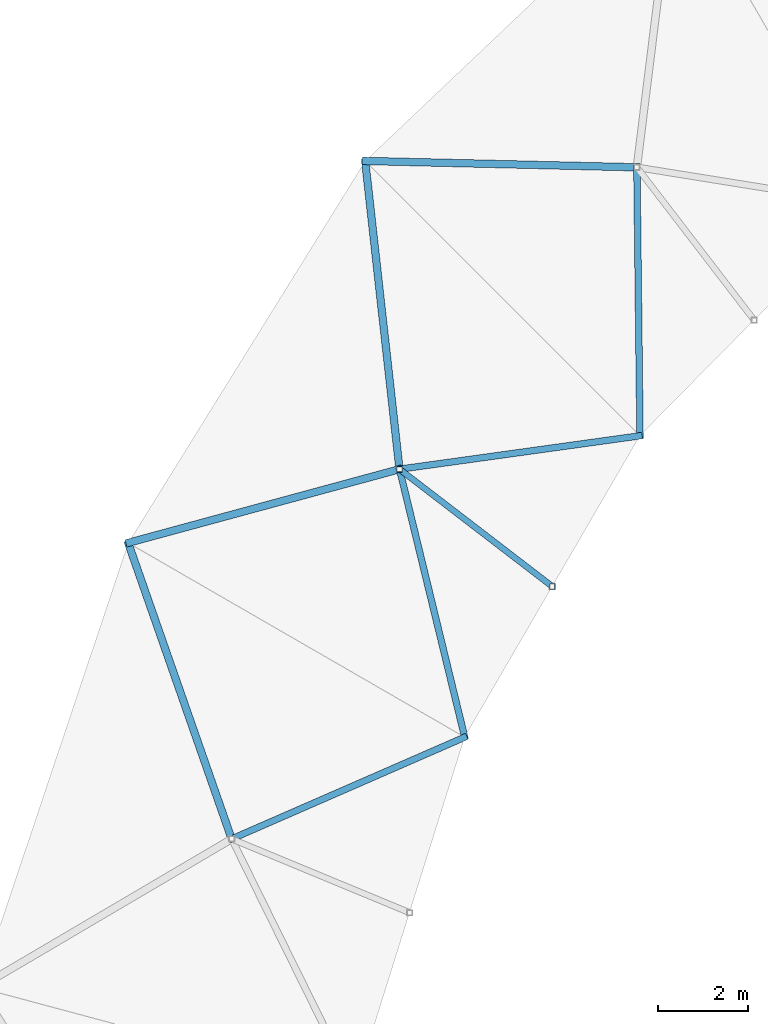
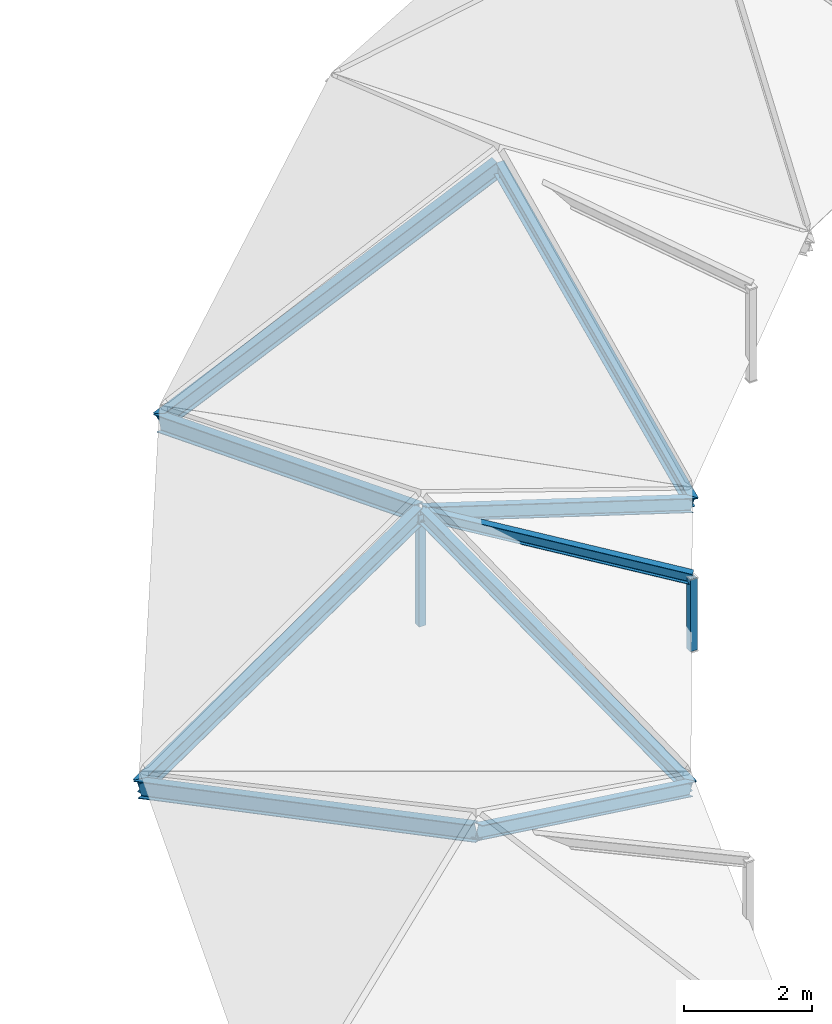
# One storey, part 29 of 66: 11 members.
"""IFC4 building model written with IfcOpenShell, lengths in metres."""

import ifcopenshell
import ifcopenshell.guid

model = None  # the IFC model being written
_history = None  # IfcOwnerHistory: only IFC2X3 demands one
_inside = {}  # id of a spatial element -> (the spatial element, [elements in it])
_under = {}  # id of a project, library or spatial element -> (it, [spatial elements below it])
_declared = {}  # id of a project -> (the project, [libraries it declares])
_typed = {}  # id of a type object -> (the type object, [elements of that type])
_made_of = {}  # id of a material, layer set ... -> (it, [elements and type objects made of it])


def new_model(schema):
    """Start an empty IFC model of exactly this schema.

    Asked for "IFC4X3", IfcOpenShell would pick the latest addendum, in which some entities
    have other attributes; the version numbers below select the first issue.
    IFC2X3 requires an IfcOwnerHistory on every rooted entity: one is made here for all.
    """
    global model, _history
    if schema == "IFC4X3":
        model = ifcopenshell.file(schema_version=(4, 3, 0, 0))
    else:
        model = ifcopenshell.file(schema=schema)
    _inside.clear()
    _under.clear()
    _declared.clear()
    _typed.clear()
    _made_of.clear()
    _history = None
    if model.schema == "IFC2X3":
        org = make("IfcOrganization", Name="unknown")
        user = make(
            "IfcPersonAndOrganization",
            ThePerson=make("IfcPerson", FamilyName="unknown"),
            TheOrganization=org,
        )
        app = make(
            "IfcApplication",
            ApplicationDeveloper=org,
            Version="unknown",
            ApplicationFullName="unknown",
            ApplicationIdentifier="unknown",
        )
        _history = make(
            "IfcOwnerHistory",
            OwningUser=user,
            OwningApplication=app,
            ChangeAction="ADDED",
            CreationDate=0,
        )
    return model


def make(cls, **values):
    """One entity of the class cls with the attributes given. An attribute that is None is left unset."""
    return model.create_entity(
        cls, **{name: value for name, value in values.items() if value is not None}
    )


def rooted(cls, **values):
    """An entity with a GlobalId (a new one), such as an element, a storey or a relation."""
    return make(cls, GlobalId=ifcopenshell.guid.new(), OwnerHistory=_history, **values)


def si_unit(unit_type, name, prefix=None):
    """IfcSIUnit, for example si_unit("LENGTHUNIT", "METRE", prefix="MILLI")."""
    return make("IfcSIUnit", UnitType=unit_type, Prefix=prefix, Name=name)


def assignment(units):
    """IfcUnitAssignment: the units of a project."""
    return None if units is None else make("IfcUnitAssignment", Units=units)


def point(xyz):
    """IfcCartesianPoint."""
    return None if xyz is None else make("IfcCartesianPoint", Coordinates=xyz)


def direction(xyz):
    """IfcDirection."""
    return None if xyz is None else make("IfcDirection", DirectionRatios=xyz)


def frame(location, z_axis=None, x_axis=None):
    """IfcAxis2Placement3D, a coordinate frame: its origin and axes. An axis left out is left unset."""
    return make(
        "IfcAxis2Placement3D",
        Location=point(location),
        Axis=direction(z_axis),
        RefDirection=direction(x_axis),
    )


def frame_2d(location, x_axis=None):
    """IfcAxis2Placement2D, a coordinate frame in the plane: its origin and x axis."""
    return make(
        "IfcAxis2Placement2D", Location=point(location), RefDirection=direction(x_axis)
    )


def origin():
    """The frame at (0, 0, 0) with its axes left unset."""
    return frame((0.0, 0.0, 0.0))


def origin_2d():
    """The frame at (0, 0) in the plane with its x axis left unset."""
    return frame_2d((0.0, 0.0))


def place(relative_to, where):
    """IfcLocalPlacement: puts the frame where relative to a parent placement (None: the world)."""
    return make(
        "IfcLocalPlacement", PlacementRelTo=relative_to, RelativePlacement=where
    )


def context(
    kind, dimensions, precision=None, world=None, true_north=None, identifier=None
):
    """IfcGeometricRepresentationContext, for example the 3D "Model" context."""
    return make(
        "IfcGeometricRepresentationContext",
        ContextIdentifier=identifier,
        ContextType=kind,
        CoordinateSpaceDimension=dimensions,
        Precision=precision,
        WorldCoordinateSystem=world,
        TrueNorth=true_north,
    )


def subcontext(parent, identifier, kind, view, scale=None):
    """IfcGeometricRepresentationSubContext, for example "Body" below "Model"."""
    return make(
        "IfcGeometricRepresentationSubContext",
        ContextIdentifier=identifier,
        ContextType=kind,
        ParentContext=parent,
        TargetScale=scale,
        TargetView=view,
    )


def project(units=None, contexts=None):
    """IfcProject with its units and contexts."""
    return rooted(
        "IfcProject",
        Name="project",
        RepresentationContexts=contexts,
        UnitsInContext=assignment(units),
    )


def spatial(cls, under=None, at=None, **own):
    """A site, building, storey or space (cls), placed at a placement, below another one or the project."""
    s = rooted(cls, ObjectPlacement=at, **own)
    if under is not None:
        _under.setdefault(under.id(), (under, []))[1].append(s)
    return s


def profile(cls, at=None, kind="AREA", **sizes):
    """A parametric profile (cls). Its sizes go by their IFC names, for example OverallWidth=200.0."""
    return make(cls, ProfileType=kind, Position=at, **sizes)


def hollow_rectangle(**sizes):
    """IfcRectangleHollowProfileDef."""
    return profile("IfcRectangleHollowProfileDef", **sizes)


def i_section(**sizes):
    """IfcIShapeProfileDef."""
    return profile("IfcIShapeProfileDef", **sizes)


def extrude(swept, where, along, depth):
    """IfcExtrudedAreaSolid: the profile swept, set in the frame where, extruded along a direction by depth."""
    return make(
        "IfcExtrudedAreaSolid",
        SweptArea=swept,
        Position=where,
        ExtrudedDirection=direction(along),
        Depth=depth,
    )


def shape(context_of_items, identifier, shape_type, items):
    """IfcShapeRepresentation: the items that make up one representation, for example the "Body"."""
    return make(
        "IfcShapeRepresentation",
        ContextOfItems=context_of_items,
        RepresentationIdentifier=identifier,
        RepresentationType=shape_type,
        Items=items,
    )


def material(Name=None, Category=None):
    """IfcMaterial."""
    return make("IfcMaterial", Name=Name, Category=Category)


def material_profile(
    of_material, cross_section, Name=None, Category=None, Priority=None
):
    """IfcMaterialProfile: a cross section and its material."""
    return make(
        "IfcMaterialProfile",
        Name=Name,
        Material=of_material,
        Profile=cross_section,
        Priority=Priority,
        Category=Category,
    )


def profile_set(profiles, Name=None, composite=None):
    """IfcMaterialProfileSet."""
    return make(
        "IfcMaterialProfileSet",
        Name=Name,
        MaterialProfiles=profiles,
        CompositeProfile=composite,
    )


def made_of(thing, what):
    """Note that an element or type object is made of a material, layer set ...; save() writes the relation."""
    if what is not None:
        _made_of.setdefault(what.id(), (what, []))[1].append(thing)
    return thing


def type_object(cls, material=None, **own):
    """A type object (cls), such as IfcWallType, which elements share."""
    return made_of(rooted(cls, **own), material)


def element(
    cls,
    number,
    at=None,
    inside=None,
    cuts=None,
    type_object=None,
    material=None,
    context=None,
    identifier="Body",
    shape_type=None,
    held_by="IfcProductDefinitionShape",
    body=None,
    shapes=None,
    **own,
):
    """One element of the class cls, such as IfcWall. Its Tag is "e" and its number.

    at: its placement. inside: the storey or other place that contains it. cuts: it is an
    opening in that element (IfcRelVoidsElement). A single representation is given by context,
    identifier, shape_type and body (its items); several are given by shapes. held_by: the class
    of the entity that holds the representations. save() writes the other relations.
    """
    e = rooted(cls, Tag="e%d" % number, ObjectPlacement=at, **own)
    if body is not None:
        shapes = [shape(context, identifier, shape_type, body)]
    if shapes is not None:
        e.Representation = make(held_by, Representations=shapes)
    if inside is not None:
        _inside.setdefault(inside.id(), (inside, []))[1].append(e)
    if cuts is not None:
        rooted(
            "IfcRelVoidsElement", RelatingBuildingElement=cuts, RelatedOpeningElement=e
        )
    if type_object is not None:
        _typed.setdefault(type_object.id(), (type_object, []))[1].append(e)
    return made_of(e, material)


def aggregate(whole, parts):
    """IfcRelAggregates: a whole, such as a stair, and the parts it consists of."""
    return rooted("IfcRelAggregates", RelatingObject=whole, RelatedObjects=parts)


def save(model, path):
    """Write the relations noted so far, then the file.

    IfcRelAggregates (storeys below a building ...), IfcRelContainedInSpatialStructure (elements
    in a storey), IfcRelDefinesByType, IfcRelAssociatesMaterial and IfcRelDeclares: one each for
    every whole, place, type object, material and project.
    """
    for whole, parts in _under.values():
        aggregate(whole, parts)
    for where, things in _inside.values():
        rooted(
            "IfcRelContainedInSpatialStructure",
            RelatedElements=things,
            RelatingStructure=where,
        )
    for kind, things in _typed.values():
        rooted("IfcRelDefinesByType", RelatedObjects=things, RelatingType=kind)
    for what, things in _made_of.values():
        rooted("IfcRelAssociatesMaterial", RelatedObjects=things, RelatingMaterial=what)
    for by, libraries in _declared.values():
        rooted("IfcRelDeclares", RelatingContext=by, RelatedDefinitions=libraries)
    model.write(path)


model = new_model("IFC4")

# Units and contexts
model_context = context("Model", 3, precision=1e-05, world=origin(), true_north=direction((0.0, 1.0)))
body_context = subcontext(model_context, "Body", "Model", "MODEL_VIEW")
ifc_project = project(units=[si_unit("LENGTHUNIT", "METRE"), si_unit("AREAUNIT", "SQUARE_METRE"), si_unit("VOLUMEUNIT", "CUBIC_METRE"), si_unit("PLANEANGLEUNIT", "RADIAN"), si_unit("MASSUNIT", "GRAM", prefix="KILO")], contexts=[model_context])

# Site, building, storey
site_placement = place(None, origin())
site = spatial("IfcSite", under=ifc_project, at=site_placement, CompositionType="ELEMENT")
building_placement = place(site_placement, origin())
building = spatial("IfcBuilding", under=site, at=building_placement, Name="Karori Crest Natural Sciences Institute", CompositionType="ELEMENT")
storey_placement = place(building_placement, frame((0.0, 0.0, 30.10009765625)))
storey = spatial("IfcBuildingStorey", under=building, at=storey_placement, Name="L07", CompositionType="ELEMENT", Elevation=30.10009765625)

# Members
ifc_material_1 = material(Name="Structural steel AS/NZS 3679.1 Grade 350", Category="steel")
ifc_material_profile_1 = material_profile(ifc_material_1, i_section(OverallWidth=0.166015625, OverallDepth=0.306884765625, WebThickness=0.006591796875, FlangeThickness=0.01171875, FilletRadius=0.010986328125, at=origin_2d()), Name="310UB46.2")
ifc_profile_set_1 = profile_set([ifc_material_profile_1], Name="Structural steel AS/NZS 3679.1 Grade 350")
member_type_1 = type_object("IfcMemberType", Name="MT-06", PredefinedType="RAFTER", material=ifc_profile_set_1)
member_1_placement = place(storey_placement, frame((43.0654296875, 78.75, -0.260009765625), z_axis=(0.903953896495, -0.021105838733, 0.427108764349), x_axis=(0.023341995965, 0.999727538495, 0.0)))
element("IfcMember", 1, at=member_1_placement, inside=storey, type_object=member_type_1, Name="Member M-0088", PredefinedType="RAFTER", context=body_context, shape_type="SweptSolid", body=[
    extrude(i_section(OverallWidth=0.166015625, OverallDepth=0.306884765625, WebThickness=0.006591796875, FlangeThickness=0.01171875, FilletRadius=0.010986328125, at=origin_2d()), origin(), (0.0, 0.0, 1.0), 6.6513671875),
])
member_2_placement = place(storey_placement, frame((43.0654296875, 78.75, -0.260009765625), z_axis=(0.105764779218, -0.948826227436, 0.297561088866), x_axis=(0.993844625972, 0.110782938333, 0.0)))
element("IfcMember", 2, at=member_2_placement, inside=storey, type_object=member_type_1, Name="Member M-0094", PredefinedType="RAFTER", context=body_context, shape_type="SweptSolid", body=[
    extrude(i_section(OverallWidth=0.166015625, OverallDepth=0.306884765625, WebThickness=0.006591796875, FlangeThickness=0.01171875, FilletRadius=0.010986328125, at=origin_2d()), origin(), (0.0, 0.0, 1.0), 7.188232421875),
])
member_3_placement = place(storey_placement, frame((37.8212890625, 70.300048828125, -0.260009765625), z_axis=(0.912658594638, 0.247702533919, 0.325111895081), x_axis=(-0.26193183546, 0.965086376224, 0.0)))
element("IfcMember", 3, at=member_3_placement, inside=storey, type_object=member_type_1, Name="Member M-0095", PredefinedType="RAFTER", context=body_context, shape_type="SweptSolid", body=[
    extrude(i_section(OverallWidth=0.166015625, OverallDepth=0.306884765625, WebThickness=0.006591796875, FlangeThickness=0.01171875, FilletRadius=0.010986328125, at=origin_2d()), origin(), (0.0, 0.0, 1.0), 6.5791015625),
])
member_4_placement = place(storey_placement, frame((37.8212890625, 70.300048828125, -0.260009765625), z_axis=(0.312818325751, -0.89487182495, 0.318353752899), x_axis=(0.943985515693, 0.329986887864, 0.0)))
element("IfcMember", 4, at=member_4_placement, inside=storey, type_object=member_type_1, Name="Member M-0101", PredefinedType="RAFTER", context=body_context, shape_type="SweptSolid", body=[
    extrude(i_section(OverallWidth=0.166015625, OverallDepth=0.306884765625, WebThickness=0.006591796875, FlangeThickness=0.01171875, FilletRadius=0.010986328125, at=origin_2d()), origin(), (0.0, 0.0, 1.0), 7.321533203125),
])
ifc_material_profile_2 = material_profile(ifc_material_1, i_section(OverallWidth=0.14599609375, OverallDepth=0.256103515625, WebThickness=0.00634765625, FlangeThickness=0.010986328125, FilletRadius=0.009033203125, at=origin_2d()), Name="250UB37.3")
ifc_profile_set_2 = profile_set([ifc_material_profile_2], Name="Structural steel AS/NZS 3679.1 Grade 350")
member_type_2 = type_object("IfcMemberType", Name="MT-07", PredefinedType="RAFTER", material=ifc_profile_set_2)
member_5_placement = place(storey_placement, frame((49.146484375, 72.668701171875, -0.260009765625), z_axis=(-0.010417279113, 0.902114127877, 0.43137174291), x_axis=(-0.999933332802, -0.011546858984, 0.0)))
element("IfcMember", 5, at=member_5_placement, inside=storey, type_object=member_type_2, Name="Member M-0090", PredefinedType="RAFTER", context=body_context, shape_type="SweptSolid", body=[
    extrude(i_section(OverallWidth=0.14599609375, OverallDepth=0.256103515625, WebThickness=0.00634765625, FlangeThickness=0.010986328125, FilletRadius=0.009033203125, at=origin_2d()), origin(), (0.0, 0.0, 1.0), 6.58544921875),
])
member_6_placement = place(storey_placement, frame((49.146484375, 72.668701171875, -0.260009765625), z_axis=(-0.920228468042, -0.127811855225, 0.369923906053), x_axis=(0.137570848375, -0.990491929133, 0.0)))
element("IfcMember", 6, at=member_6_placement, inside=storey, type_object=member_type_2, Name="Member M-0096", PredefinedType="RAFTER", context=body_context, shape_type="SweptSolid", body=[
    extrude(i_section(OverallWidth=0.14599609375, OverallDepth=0.256103515625, WebThickness=0.00634765625, FlangeThickness=0.010986328125, FilletRadius=0.009033203125, at=origin_2d()), origin(), (0.0, 0.0, 1.0), 5.781982421875),
])
member_7_placement = place(storey_placement, frame((45.26904296875, 66.0, -0.260009765625), z_axis=(-0.223195462527, 0.916943740501, 0.330753627739), x_axis=(-0.971629848575, -0.236506738504, 0.0)))
element("IfcMember", 7, at=member_7_placement, inside=storey, type_object=member_type_2, Name="Member M-0097", PredefinedType="RAFTER", context=body_context, shape_type="SweptSolid", body=[
    extrude(i_section(OverallWidth=0.14599609375, OverallDepth=0.256103515625, WebThickness=0.00634765625, FlangeThickness=0.010986328125, FilletRadius=0.009033203125, at=origin_2d()), origin(), (0.0, 0.0, 1.0), 6.466796875),
])
member_8_placement = place(storey_placement, frame((45.26904296875, 66.0, -0.260009765625), z_axis=(-0.846712386592, -0.369667613801, 0.38265387715), x_axis=(0.400120040196, -0.916462739796, 0.0)))
element("IfcMember", 8, at=member_8_placement, inside=storey, type_object=member_type_2, Name="Member M-0103", PredefinedType="RAFTER", context=body_context, shape_type="SweptSolid", body=[
    extrude(i_section(OverallWidth=0.14599609375, OverallDepth=0.256103515625, WebThickness=0.00634765625, FlangeThickness=0.010986328125, FilletRadius=0.009033203125, at=origin_2d()), origin(), (0.0, 0.0, 1.0), 6.091064453125),
])
ifc_material_profile_3 = material_profile(ifc_material_1, i_section(OverallWidth=0.133056640625, OverallDepth=0.202880859375, WebThickness=0.005859375, FlangeThickness=0.0078125, FilletRadius=0.009033203125, at=origin_2d()), Name="200UB25.4")
ifc_profile_set_3 = profile_set([ifc_material_profile_3], Name="Structural steel AS/NZS 3679.1 Grade 350")
member_type_3 = type_object("IfcMemberType", Name="MT-09", PredefinedType="PURLIN", material=ifc_profile_set_3)
member_9_placement = place(storey_placement, frame((47.207763671875, 69.33447265625, 1.037841796875), z_axis=(-0.778343756141, 0.597256487965, 0.193560545723), x_axis=(-0.608769331465, -0.793347276461, 0.0)))
element("IfcMember", 9, at=member_9_placement, inside=storey, type_object=member_type_3, Name="Member M-0098", PredefinedType="PURLIN", context=body_context, shape_type="SweptSolid", body=[
    extrude(i_section(OverallWidth=0.133056640625, OverallDepth=0.202880859375, WebThickness=0.005859375, FlangeThickness=0.0078125, FilletRadius=0.009033203125, at=origin_2d()), origin(), (0.0, 0.0, 1.0), 4.34521484375),
])
ifc_material_2 = material(Name="Hollow structural steel AS/NZS 1163 Grade C350", Category="steel")
ifc_material_profile_4 = material_profile(ifc_material_2, hollow_rectangle(XDim=0.125, YDim=0.125, WallThickness=0.006103515625, at=origin_2d()), Name="SHS125x125x6")
ifc_profile_set_4 = profile_set([ifc_material_profile_4], Name="Hollow structural steel AS/NZS 1163 Grade C350")
member_type_4 = type_object("IfcMemberType", Name="MT-20", PredefinedType="STRUT", material=ifc_profile_set_4)
member_10_placement = place(storey_placement, frame((43.82568359375, 71.9296875, -0.2451171875), z_axis=(0.0, 0.0, 1.0), x_axis=(1.0, 0.0, 0.0)))
element("IfcMember", 10, at=member_10_placement, inside=storey, type_object=member_type_4, Name="Member M-0092", PredefinedType="STRUT", context=body_context, shape_type="SweptSolid", body=[
    extrude(hollow_rectangle(XDim=0.125, YDim=0.125, WallThickness=0.006103515625, at=origin_2d()), origin(), (0.0, 0.0, 1.0), 2.1240234375),
])
member_11_placement = place(storey_placement, frame((47.207763671875, 69.33447265625, -0.322998046875), z_axis=(0.0, 0.0, 1.0), x_axis=(1.0, 0.0, 0.0)))
element("IfcMember", 11, at=member_11_placement, inside=storey, type_object=member_type_4, Name="Member M-0093", PredefinedType="STRUT", context=body_context, shape_type="SweptSolid", body=[
    extrude(hollow_rectangle(XDim=0.125, YDim=0.125, WallThickness=0.006103515625, at=origin_2d()), origin(), (0.0, 0.0, 1.0), 1.36083984375),
])

save(model, "model.ifc")
